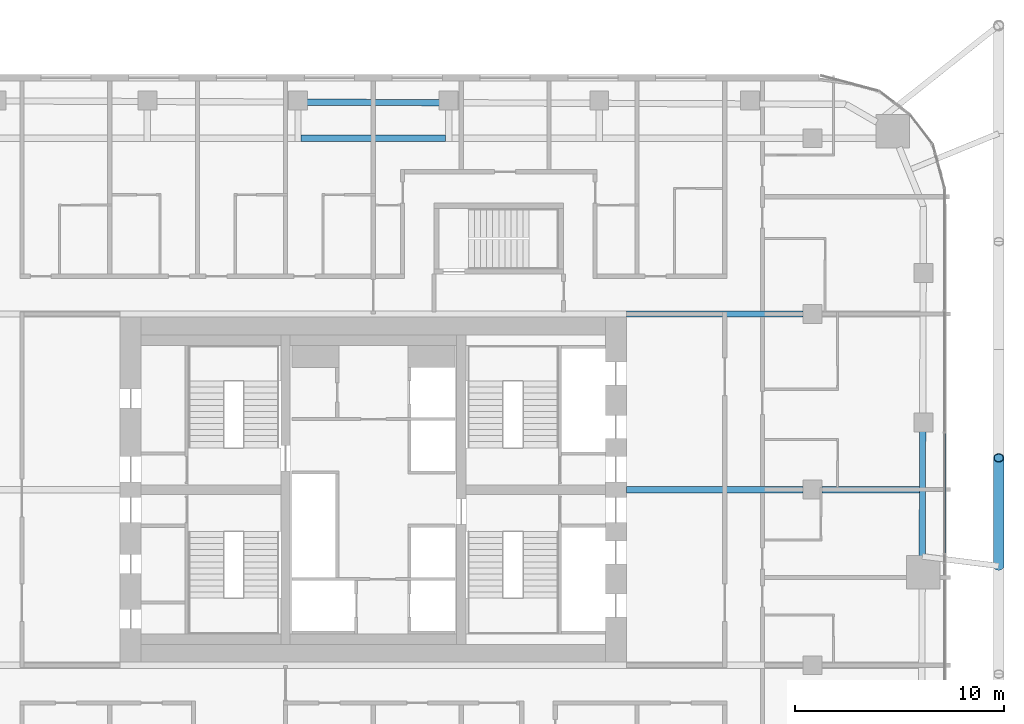
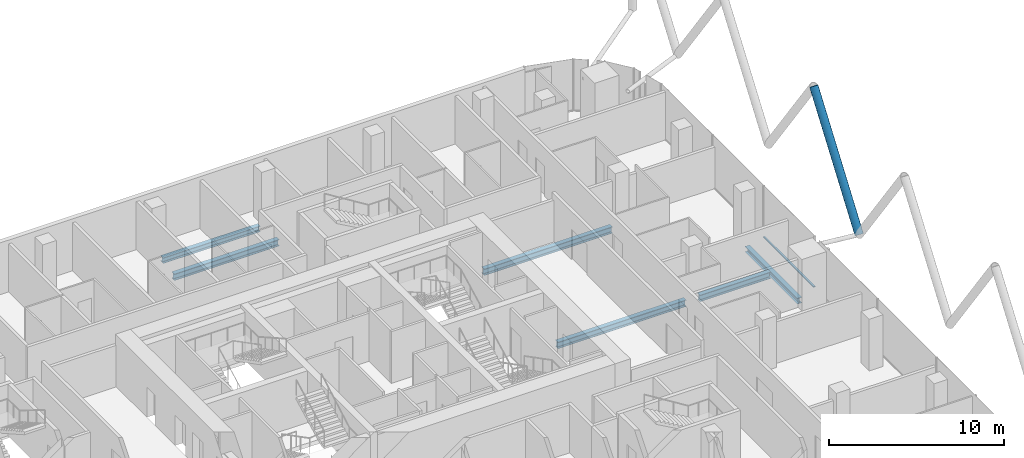
# One storey, part 12 of 36: 6 beams, 2 members, 1 element without a shape of its own.
"""IFC4 building model written with IfcOpenShell, lengths in metres."""

import ifcopenshell
import ifcopenshell.guid

model = None  # the IFC model being written
_history = None  # IfcOwnerHistory: only IFC2X3 demands one
_inside = {}  # id of a spatial element -> (the spatial element, [elements in it])
_under = {}  # id of a project, library or spatial element -> (it, [spatial elements below it])
_declared = {}  # id of a project -> (the project, [libraries it declares])
_typed = {}  # id of a type object -> (the type object, [elements of that type])
_made_of = {}  # id of a material, layer set ... -> (it, [elements and type objects made of it])


def new_model(schema):
    """Start an empty IFC model of exactly this schema.

    Asked for "IFC4X3", IfcOpenShell would pick the latest addendum, in which some entities
    have other attributes; the version numbers below select the first issue.
    IFC2X3 requires an IfcOwnerHistory on every rooted entity: one is made here for all.
    """
    global model, _history
    if schema == "IFC4X3":
        model = ifcopenshell.file(schema_version=(4, 3, 0, 0))
    else:
        model = ifcopenshell.file(schema=schema)
    _inside.clear()
    _under.clear()
    _declared.clear()
    _typed.clear()
    _made_of.clear()
    _history = None
    if model.schema == "IFC2X3":
        org = make("IfcOrganization", Name="unknown")
        user = make(
            "IfcPersonAndOrganization",
            ThePerson=make("IfcPerson", FamilyName="unknown"),
            TheOrganization=org,
        )
        app = make(
            "IfcApplication",
            ApplicationDeveloper=org,
            Version="unknown",
            ApplicationFullName="unknown",
            ApplicationIdentifier="unknown",
        )
        _history = make(
            "IfcOwnerHistory",
            OwningUser=user,
            OwningApplication=app,
            ChangeAction="ADDED",
            CreationDate=0,
        )
    return model


def make(cls, **values):
    """One entity of the class cls with the attributes given. An attribute that is None is left unset."""
    return model.create_entity(
        cls, **{name: value for name, value in values.items() if value is not None}
    )


def rooted(cls, **values):
    """An entity with a GlobalId (a new one), such as an element, a storey or a relation."""
    return make(cls, GlobalId=ifcopenshell.guid.new(), OwnerHistory=_history, **values)


def si_unit(unit_type, name, prefix=None):
    """IfcSIUnit, for example si_unit("LENGTHUNIT", "METRE", prefix="MILLI")."""
    return make("IfcSIUnit", UnitType=unit_type, Prefix=prefix, Name=name)


def assignment(units):
    """IfcUnitAssignment: the units of a project."""
    return None if units is None else make("IfcUnitAssignment", Units=units)


def point(xyz):
    """IfcCartesianPoint."""
    return None if xyz is None else make("IfcCartesianPoint", Coordinates=xyz)


def direction(xyz):
    """IfcDirection."""
    return None if xyz is None else make("IfcDirection", DirectionRatios=xyz)


def frame(location, z_axis=None, x_axis=None):
    """IfcAxis2Placement3D, a coordinate frame: its origin and axes. An axis left out is left unset."""
    return make(
        "IfcAxis2Placement3D",
        Location=point(location),
        Axis=direction(z_axis),
        RefDirection=direction(x_axis),
    )


def frame_2d(location, x_axis=None):
    """IfcAxis2Placement2D, a coordinate frame in the plane: its origin and x axis."""
    return make(
        "IfcAxis2Placement2D", Location=point(location), RefDirection=direction(x_axis)
    )


def origin():
    """The frame at (0, 0, 0) with its axes left unset."""
    return frame((0.0, 0.0, 0.0))


def origin_2d():
    """The frame at (0, 0) in the plane with its x axis left unset."""
    return frame_2d((0.0, 0.0))


def place(relative_to, where):
    """IfcLocalPlacement: puts the frame where relative to a parent placement (None: the world)."""
    return make(
        "IfcLocalPlacement", PlacementRelTo=relative_to, RelativePlacement=where
    )


def context(
    kind, dimensions, precision=None, world=None, true_north=None, identifier=None
):
    """IfcGeometricRepresentationContext, for example the 3D "Model" context."""
    return make(
        "IfcGeometricRepresentationContext",
        ContextIdentifier=identifier,
        ContextType=kind,
        CoordinateSpaceDimension=dimensions,
        Precision=precision,
        WorldCoordinateSystem=world,
        TrueNorth=true_north,
    )


def subcontext(parent, identifier, kind, view, scale=None):
    """IfcGeometricRepresentationSubContext, for example "Body" below "Model"."""
    return make(
        "IfcGeometricRepresentationSubContext",
        ContextIdentifier=identifier,
        ContextType=kind,
        ParentContext=parent,
        TargetScale=scale,
        TargetView=view,
    )


def project(units=None, contexts=None):
    """IfcProject with its units and contexts."""
    return rooted(
        "IfcProject",
        Name="project",
        RepresentationContexts=contexts,
        UnitsInContext=assignment(units),
    )


def spatial(cls, under=None, at=None, **own):
    """A site, building, storey or space (cls), placed at a placement, below another one or the project."""
    s = rooted(cls, ObjectPlacement=at, **own)
    if under is not None:
        _under.setdefault(under.id(), (under, []))[1].append(s)
    return s


def profile(cls, at=None, kind="AREA", **sizes):
    """A parametric profile (cls). Its sizes go by their IFC names, for example OverallWidth=200.0."""
    return make(cls, ProfileType=kind, Position=at, **sizes)


def rectangle(**sizes):
    """IfcRectangleProfileDef."""
    return profile("IfcRectangleProfileDef", **sizes)


def hollow_circle(**sizes):
    """IfcCircleHollowProfileDef."""
    return profile("IfcCircleHollowProfileDef", **sizes)


def i_section(**sizes):
    """IfcIShapeProfileDef."""
    return profile("IfcIShapeProfileDef", **sizes)


def extrude(swept, where, along, depth):
    """IfcExtrudedAreaSolid: the profile swept, set in the frame where, extruded along a direction by depth."""
    return make(
        "IfcExtrudedAreaSolid",
        SweptArea=swept,
        Position=where,
        ExtrudedDirection=direction(along),
        Depth=depth,
    )


def shape(context_of_items, identifier, shape_type, items):
    """IfcShapeRepresentation: the items that make up one representation, for example the "Body"."""
    return make(
        "IfcShapeRepresentation",
        ContextOfItems=context_of_items,
        RepresentationIdentifier=identifier,
        RepresentationType=shape_type,
        Items=items,
    )


def material(Name=None, Category=None):
    """IfcMaterial."""
    return make("IfcMaterial", Name=Name, Category=Category)


def layer(
    of_material, thickness, ventilated=None, Name=None, Category=None, Priority=None
):
    """IfcMaterialLayer: one layer of a wall or slab, of a material (None: an air gap)."""
    return make(
        "IfcMaterialLayer",
        Material=of_material,
        LayerThickness=thickness,
        IsVentilated=ventilated,
        Name=Name,
        Category=Category,
        Priority=Priority,
    )


def layer_set(layers, Name=None):
    """IfcMaterialLayerSet."""
    return make("IfcMaterialLayerSet", MaterialLayers=layers, LayerSetName=Name)


def material_profile(
    of_material, cross_section, Name=None, Category=None, Priority=None
):
    """IfcMaterialProfile: a cross section and its material."""
    return make(
        "IfcMaterialProfile",
        Name=Name,
        Material=of_material,
        Profile=cross_section,
        Priority=Priority,
        Category=Category,
    )


def profile_set(profiles, Name=None, composite=None):
    """IfcMaterialProfileSet."""
    return make(
        "IfcMaterialProfileSet",
        Name=Name,
        MaterialProfiles=profiles,
        CompositeProfile=composite,
    )


def made_of(thing, what):
    """Note that an element or type object is made of a material, layer set ...; save() writes the relation."""
    if what is not None:
        _made_of.setdefault(what.id(), (what, []))[1].append(thing)
    return thing


def type_object(cls, material=None, **own):
    """A type object (cls), such as IfcWallType, which elements share."""
    return made_of(rooted(cls, **own), material)


def element(
    cls,
    number,
    at=None,
    inside=None,
    cuts=None,
    type_object=None,
    material=None,
    context=None,
    identifier="Body",
    shape_type=None,
    held_by="IfcProductDefinitionShape",
    body=None,
    shapes=None,
    **own,
):
    """One element of the class cls, such as IfcWall. Its Tag is "e" and its number.

    at: its placement. inside: the storey or other place that contains it. cuts: it is an
    opening in that element (IfcRelVoidsElement). A single representation is given by context,
    identifier, shape_type and body (its items); several are given by shapes. held_by: the class
    of the entity that holds the representations. save() writes the other relations.
    """
    e = rooted(cls, Tag="e%d" % number, ObjectPlacement=at, **own)
    if body is not None:
        shapes = [shape(context, identifier, shape_type, body)]
    if shapes is not None:
        e.Representation = make(held_by, Representations=shapes)
    if inside is not None:
        _inside.setdefault(inside.id(), (inside, []))[1].append(e)
    if cuts is not None:
        rooted(
            "IfcRelVoidsElement", RelatingBuildingElement=cuts, RelatedOpeningElement=e
        )
    if type_object is not None:
        _typed.setdefault(type_object.id(), (type_object, []))[1].append(e)
    return made_of(e, material)


def aggregate(whole, parts):
    """IfcRelAggregates: a whole, such as a stair, and the parts it consists of."""
    return rooted("IfcRelAggregates", RelatingObject=whole, RelatedObjects=parts)


def save(model, path):
    """Write the relations noted so far, then the file.

    IfcRelAggregates (storeys below a building ...), IfcRelContainedInSpatialStructure (elements
    in a storey), IfcRelDefinesByType, IfcRelAssociatesMaterial and IfcRelDeclares: one each for
    every whole, place, type object, material and project.
    """
    for whole, parts in _under.values():
        aggregate(whole, parts)
    for where, things in _inside.values():
        rooted(
            "IfcRelContainedInSpatialStructure",
            RelatedElements=things,
            RelatingStructure=where,
        )
    for kind, things in _typed.values():
        rooted("IfcRelDefinesByType", RelatedObjects=things, RelatingType=kind)
    for what, things in _made_of.values():
        rooted("IfcRelAssociatesMaterial", RelatedObjects=things, RelatingMaterial=what)
    for by, libraries in _declared.values():
        rooted("IfcRelDeclares", RelatingContext=by, RelatedDefinitions=libraries)
    model.write(path)


model = new_model("IFC4")

# Units and contexts
model_context = context("Model", 3, precision=1e-05, world=origin(), true_north=direction((0.0, 1.0)))
body_context = subcontext(model_context, "Body", "Model", "MODEL_VIEW")
ifc_project = project(units=[si_unit("LENGTHUNIT", "METRE"), si_unit("AREAUNIT", "SQUARE_METRE"), si_unit("VOLUMEUNIT", "CUBIC_METRE"), si_unit("PLANEANGLEUNIT", "RADIAN"), si_unit("MASSUNIT", "GRAM", prefix="KILO")], contexts=[model_context])

# Site, building, storey
site_placement = place(None, origin())
site = spatial("IfcSite", under=ifc_project, at=site_placement, CompositionType="ELEMENT")
building_placement = place(site_placement, origin())
building = spatial("IfcBuilding", under=site, at=building_placement, Name="Marenta Gate Hotel Tower", CompositionType="ELEMENT")
storey_placement = place(building_placement, frame((0.0, 0.0, 115.699951171875)))
storey = spatial("IfcBuildingStorey", under=building, at=storey_placement, Name="L25", CompositionType="ELEMENT", Elevation=115.699951171875)

# Member
ifc_material_1 = material(Name="Steel S355J2W", Category="steel")
ifc_material_profile_1 = material_profile(ifc_material_1, hollow_circle(Radius=0.25390625, WallThickness=0.0400390625, at=origin_2d()), Name="CHS 508x40")
ifc_profile_set_1 = profile_set([ifc_material_profile_1], Name="Steel S355J2W")
member_type_1 = type_object("IfcMemberType", Name="Diagrid diagonal Z2 CHS 508x40", PredefinedType="BRACE", material=ifc_profile_set_1)
member_1_placement = place(storey_placement, frame((29.89990234375, 4.75, 3.14013671875), z_axis=(0.0, 0.583260841117, 0.812284919975), x_axis=(-1.0, 0.0, 0.0)))
element("IfcMember", 1, at=member_1_placement, inside=storey, type_object=member_type_1, Name="L25-DG-5", PredefinedType="BRACE", context=body_context, shape_type="SweptSolid", body=[
    extrude(hollow_circle(Radius=0.25390625, WallThickness=0.0400390625, at=origin_2d()), origin(), (0.0, 0.0, 1.0), 8.86376953125),
])

# Beams
ifc_material_2 = material(Name="Steel S355", Category="steel")
ifc_material_profile_2 = material_profile(ifc_material_2, i_section(OverallWidth=0.300048828125, OverallDepth=0.39990234375, WebThickness=0.013427734375, FlangeThickness=0.02392578125, FilletRadius=0.027099609375, at=origin_2d()), Name="HEB 400")
ifc_profile_set_2 = profile_set([ifc_material_profile_2], Name="Steel S355")
beam_type_1 = type_object("IfcBeamType", Name="Edge beam HEB 400", PredefinedType="SPANDREL", material=ifc_profile_set_2)
beam_1_placement = place(storey_placement, frame((-3.19140625, 26.926513671875, -0.4599609375), z_axis=(0.999991624938, -0.004092682982, 0.0), x_axis=(0.004092682982, 0.999991624938, 0.0)))
element("IfcBeam", 2, at=beam_1_placement, inside=storey, type_object=beam_type_1, Name="L25-EB-16", PredefinedType="SPANDREL", context=body_context, shape_type="SweptSolid", body=[
    extrude(i_section(OverallWidth=0.300048828125, OverallDepth=0.39990234375, WebThickness=0.013427734375, FlangeThickness=0.02392578125, FilletRadius=0.027099609375, at=origin_2d()), origin(), (0.0, 0.0, 1.0), 6.3828125),
])
beam_2_placement = place(storey_placement, frame((26.26416015625, 11.193115234375, -0.4599609375), z_axis=(-0.003305160059, -0.999994537944, 0.0), x_axis=(0.999994537944, -0.003305160059, 0.0)))
element("IfcBeam", 3, at=beam_2_placement, inside=storey, type_object=beam_type_1, Name="L25-EB-24", PredefinedType="SPANDREL", context=body_context, shape_type="SweptSolid", body=[
    extrude(i_section(OverallWidth=0.300048828125, OverallDepth=0.39990234375, WebThickness=0.013427734375, FlangeThickness=0.02392578125, FilletRadius=0.027099609375, at=origin_2d()), origin(), (0.0, 0.0, 1.0), 5.983154296875),
])
ifc_material_3 = material(Name="Steel S355", Category="steel")
ifc_material_profile_3 = material_profile(ifc_material_3, i_section(OverallWidth=0.300048828125, OverallDepth=0.449951171875, WebThickness=0.013916015625, FlangeThickness=0.02587890625, FilletRadius=0.027099609375, at=origin_2d()), Name="HEB 450")
ifc_profile_set_3 = profile_set([ifc_material_profile_3], Name="Steel S355")
beam_type_2 = type_object("IfcBeamType", Name="Girder HEB 450", PredefinedType="BEAM", material=ifc_profile_set_3)
beam_3_placement = place(storey_placement, frame((12.10009765625, 8.39990234375, -0.48486328125), z_axis=(1.0, 0.0, 0.0), x_axis=(0.0, 1.0, 0.0)))
element("IfcBeam", 4, at=beam_3_placement, inside=storey, type_object=beam_type_2, Name="L25-GD-22", PredefinedType="BEAM", context=body_context, shape_type="SweptSolid", body=[
    extrude(i_section(OverallWidth=0.300048828125, OverallDepth=0.449951171875, WebThickness=0.013916015625, FlangeThickness=0.02587890625, FilletRadius=0.027099609375, at=origin_2d()), origin(), (0.0, 0.0, 1.0), 8.449951171875),
])
beam_4_placement = place(storey_placement, frame((21.449951171875, 8.39990234375, -0.48486328125), z_axis=(1.0, 0.0, 0.0), x_axis=(0.0, 1.0, 0.0)))
element("IfcBeam", 5, at=beam_4_placement, inside=storey, type_object=beam_type_2, Name="L25-GD-23", PredefinedType="BEAM", context=body_context, shape_type="SweptSolid", body=[
    extrude(i_section(OverallWidth=0.300048828125, OverallDepth=0.449951171875, WebThickness=0.013916015625, FlangeThickness=0.02587890625, FilletRadius=0.027099609375, at=origin_2d()), origin(), (0.0, 0.0, 1.0), 4.655029296875),
])
beam_5_placement = place(storey_placement, frame((12.10009765625, 16.800048828125, -0.48486328125), z_axis=(1.0, 0.0, 0.0), x_axis=(0.0, 1.0, 0.0)))
element("IfcBeam", 6, at=beam_5_placement, inside=storey, type_object=beam_type_2, Name="L25-GD-27", PredefinedType="BEAM", context=body_context, shape_type="SweptSolid", body=[
    extrude(i_section(OverallWidth=0.300048828125, OverallDepth=0.449951171875, WebThickness=0.013916015625, FlangeThickness=0.02587890625, FilletRadius=0.027099609375, at=origin_2d()), origin(), (0.0, 0.0, 1.0), 8.449951171875),
])
beam_6_placement = place(storey_placement, frame((-3.451416015625, 25.199951171875, -0.48486328125), z_axis=(1.0, 0.0, 0.0), x_axis=(0.0, 1.0, 0.0)))
element("IfcBeam", 7, at=beam_6_placement, inside=storey, type_object=beam_type_2, Name="L25-GD-32", PredefinedType="BEAM", context=body_context, shape_type="SweptSolid", body=[
    extrude(i_section(OverallWidth=0.300048828125, OverallDepth=0.449951171875, WebThickness=0.013916015625, FlangeThickness=0.02587890625, FilletRadius=0.027099609375, at=origin_2d()), origin(), (0.0, 0.0, 1.0), 6.90283203125),
])

# Curtain wall, member
ifc_material_4 = material(Name="Tinted insulated glass in bronze anodised frame", Category="glass")
ifc_layer = layer(ifc_material_4, 0.1201171875)
ifc_layer_set = layer_set([ifc_layer], Name="Tinted insulated glass in bronze anodised frame")
curtain_wall_type = type_object("IfcCurtainWallType", Name="Tower unitised curtain wall CW1", PredefinedType="NOTDEFINED", material=ifc_layer_set)
curtain_wall_placement = place(storey_placement, origin())
curtain_wall = element("IfcCurtainWall", 8, at=curtain_wall_placement, inside=storey, type_object=curtain_wall_type, Name="CW1 run G35", PredefinedType="NOTDEFINED")
ifc_material_5 = material(Name="Bronze anodised aluminium", Category="aluminium")
ifc_material_profile_4 = material_profile(ifc_material_5, rectangle(XDim=0.1201171875, YDim=0.06005859375, at=origin_2d()), Name="Transom CW1 60x120 bronze anodised aluminium")
ifc_profile_set_4 = profile_set([ifc_material_profile_4], Name="Bronze anodised aluminium")
member_type_2 = type_object("IfcMemberType", Name="Transom CW1 60x120 bronze anodised aluminium", PredefinedType="USERDEFINED", material=ifc_profile_set_4)
member_2_placement = place(storey_placement, frame((27.31396484375, 5.36376953125, 0.030029296875), z_axis=(0.0, 1.0, 0.0), x_axis=(-1.0, 0.0, 0.0)))
member_2 = element("IfcMember", 9, at=member_2_placement, type_object=member_type_2, Name="CW1 transom 1.1", ObjectType="TRANSOM", PredefinedType="USERDEFINED", context=body_context, shape_type="SweptSolid", body=[
    extrude(rectangle(XDim=0.1201171875, YDim=0.06005859375, at=origin_2d()), origin(), (0.0, 0.0, 1.0), 5.7392578125),
])
aggregate(curtain_wall, [member_2])

save(model, "model.ifc")
